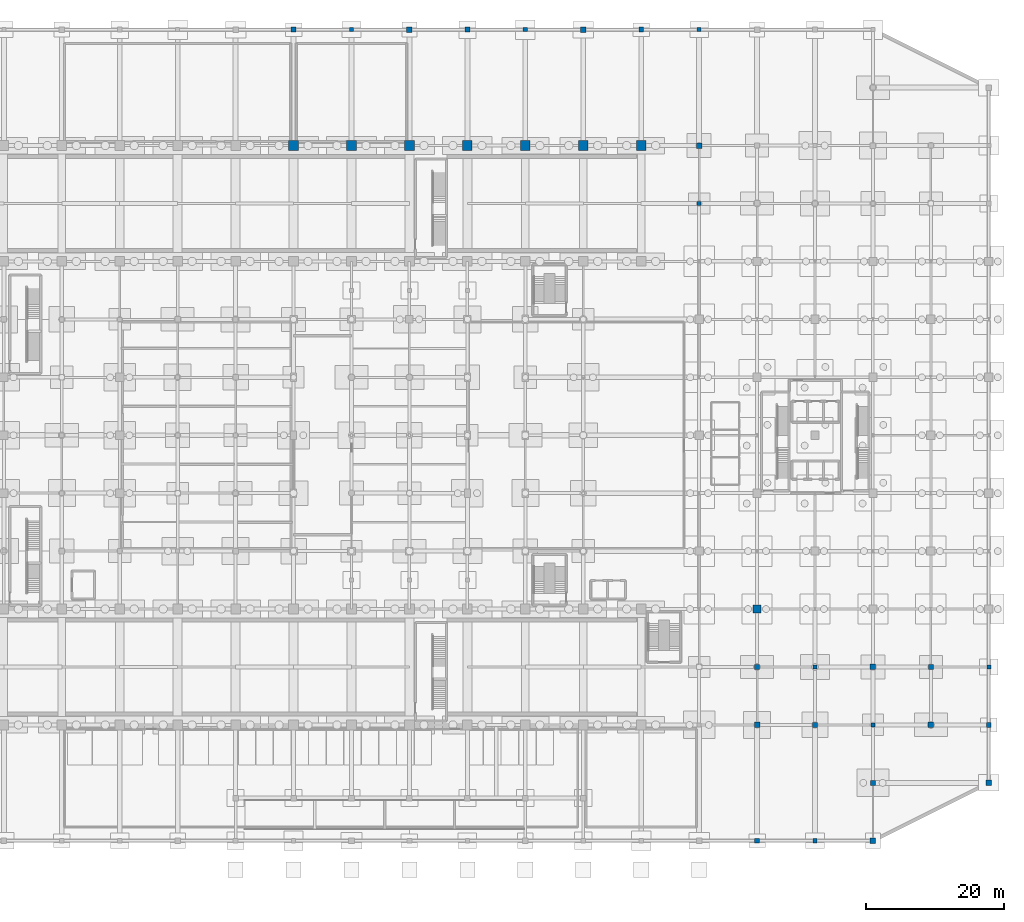
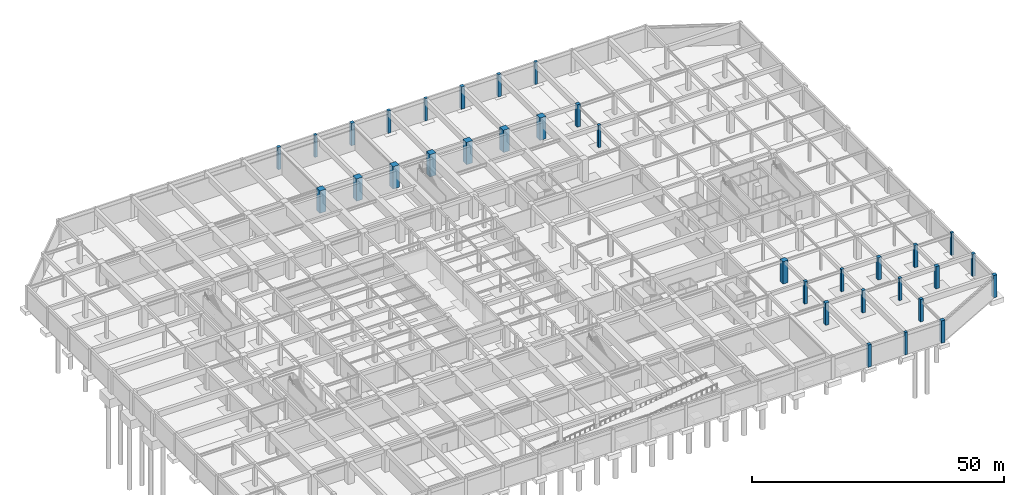
# One storey, part 8 of 26: 33 columns.
"""IFC4 building model written with IfcOpenShell, lengths in metres."""

from ifc_helpers import new_model, si_unit, direction, frame, origin, origin_2d, place, context, subcontext, project, spatial, rectangle, extrude, material, material_profile, profile_set, type_object, element, save


model = new_model("IFC4")

# Units and contexts
model_context = context("Model", 3, precision=1e-05, world=origin(), true_north=direction((0.0, 1.0)))
body_context = subcontext(model_context, "Body", "Model", "MODEL_VIEW")
ifc_project = project(units=[si_unit("LENGTHUNIT", "METRE"), si_unit("AREAUNIT", "SQUARE_METRE"), si_unit("VOLUMEUNIT", "CUBIC_METRE"), si_unit("PLANEANGLEUNIT", "RADIAN"), si_unit("MASSUNIT", "GRAM", prefix="KILO")], contexts=[model_context])

# Site, building, storey
site_placement = place(None, origin())
site = spatial("IfcSite", under=ifc_project, at=site_placement, CompositionType="ELEMENT")
building_placement = place(site_placement, origin())
building = spatial("IfcBuilding", under=site, at=building_placement, Name="Xuanlan Plaza Opera House", CompositionType="ELEMENT")
storey_placement = place(building_placement, frame((0.0, 0.0, -5.39990234375)))
storey = spatial("IfcBuildingStorey", under=building, at=storey_placement, Name="B01", CompositionType="ELEMENT", Elevation=-5.39990234375)

# Columns
ifc_material_1 = material(Name="Concrete C60", Category="concrete")
ifc_material_profile_1 = material_profile(ifc_material_1, rectangle(XDim=1.39990234375, YDim=1.39990234375, at=origin_2d()), Name="RC-COL 1400x1400")
ifc_profile_set_1 = profile_set([ifc_material_profile_1], Name="Concrete C60")
column_type_1 = type_object("IfcColumnType", Name="STR-COL-C-01", PredefinedType="COLUMN", material=ifc_profile_set_1)
for number, where, z_axis, x_axis, name in (
    (1, (67.199951171875, 100.800048828125, 0.0), (0.0, 0.0, 1.0), (1.0, 0.0, 0.0), "Column B01 9-M"),
    (2, (75.60009765625, 100.800048828125, 0.0), (0.0, 0.0, 1.0), (1.0, 0.0, 0.0), "Column B01 10-M"),
    (3, (84.0, 100.800048828125, 0.0), (0.0, 0.0, 1.0), (1.0, 0.0, 0.0), "Column B01 11-M"),
    (4, (92.39990234375, 100.800048828125, 0.0), (0.0, 0.0, 1.0), (1.0, 0.0, 0.0), "Column B01 12-M"),
    (5, (100.800048828125, 100.800048828125, 0.0), (0.0, 0.0, 1.0), (1.0, 0.0, 0.0), "Column B01 13-M"),
    (6, (109.199951171875, 100.800048828125, 0.0), (0.0, 0.0, 1.0), (1.0, 0.0, 0.0), "Column B01 14-M"),
    (7, (117.60009765625, 100.800048828125, 0.0), (0.0, 0.0, 1.0), (1.0, 0.0, 0.0), "Column B01 15-M"),
):
    element("IfcColumn", number, at=place(storey_placement, frame(where, z_axis=z_axis, x_axis=x_axis)), inside=storey, type_object=column_type_1, Name=name, PredefinedType="COLUMN", context=body_context, shape_type="SweptSolid", body=[
        extrude(rectangle(XDim=1.39990234375, YDim=1.39990234375, at=origin_2d()), origin(), (0.0, 0.0, 1.0), 5.39990234375),
    ])
ifc_material_profile_2 = material_profile(ifc_material_1, rectangle(XDim=1.199951171875, YDim=1.199951171875, at=origin_2d()), Name="RC-COL 1200x1200")
ifc_profile_set_2 = profile_set([ifc_material_profile_2], Name="Concrete C60")
column_type_2 = type_object("IfcColumnType", Name="STR-COL-C-02", PredefinedType="COLUMN", material=ifc_profile_set_2)
column_placement = place(storey_placement, frame((134.39990234375, 33.60009765625, 0.0), z_axis=(0.0, 0.0, 1.0), x_axis=(1.0, 0.0, 0.0)))
element("IfcColumn", 8, at=column_placement, inside=storey, type_object=column_type_2, Name="Column B01 17-E", PredefinedType="COLUMN", context=body_context, shape_type="SweptSolid", body=[
    extrude(rectangle(XDim=1.199951171875, YDim=1.199951171875, at=origin_2d()), origin(), (0.0, 0.0, 1.0), 5.39990234375),
])
ifc_material_2 = material(Name="Concrete C40", Category="concrete")
ifc_material_profile_3 = material_profile(ifc_material_2, rectangle(XDim=0.800048828125, YDim=0.800048828125, at=origin_2d()), Name="RC-COL 800x800")
ifc_profile_set_3 = profile_set([ifc_material_profile_3], Name="Concrete C40")
column_type_3 = type_object("IfcColumnType", Name="STR-COL-C-06", PredefinedType="COLUMN", material=ifc_profile_set_3)
for number, where, z_axis, x_axis, name in (
    (9, (84.0, 117.60009765625, 0.0), (0.0, 0.0, 1.0), (1.0, 0.0, 0.0), "Column B01 11-O"),
    (10, (109.199951171875, 117.60009765625, 0.0), (0.0, 0.0, 1.0), (1.0, 0.0, 0.0), "Column B01 14-O"),
    (11, (126.0, 100.800048828125, 0.0), (0.0, 0.0, 1.0), (1.0, 0.0, 0.0), "Column B01 16-M"),
    (12, (134.39990234375, 16.800048828125, 0.0), (0.0, 0.0, 1.0), (1.0, 0.0, 0.0), "Column B01 17-C"),
    (13, (151.199951171875, 0.0, 0.0), (0.0, 0.0, 1.0), (1.0, 0.0, 0.0), "Column B01 19-A"),
    (14, (151.199951171875, 25.199951171875, 0.0), (0.0, 0.0, 1.0), (1.0, 0.0, 0.0), "Column B01 19-D"),
    (15, (159.60009765625, 16.800048828125, 0.0), (0.0, 0.0, 1.0), (1.0, 0.0, 0.0), "Column B01 20-C"),
    (16, (168.0, 8.39990234375, 0.0), (0.0, 0.0, 1.0), (1.0, 0.0, 0.0), "Column B01 21-B"),
):
    element("IfcColumn", number, at=place(storey_placement, frame(where, z_axis=z_axis, x_axis=x_axis)), inside=storey, type_object=column_type_3, Name=name, PredefinedType="COLUMN", context=body_context, shape_type="SweptSolid", body=[
        extrude(rectangle(XDim=0.800048828125, YDim=0.800048828125, at=origin_2d()), origin(), (0.0, 0.0, 1.0), 5.39990234375),
    ])
ifc_material_profile_4 = material_profile(ifc_material_2, rectangle(XDim=0.699951171875, YDim=0.699951171875, at=origin_2d()), Name="RC-COL 700x700")
ifc_profile_set_4 = profile_set([ifc_material_profile_4], Name="Concrete C40")
column_type_4 = type_object("IfcColumnType", Name="STR-COL-C-07", PredefinedType="COLUMN", material=ifc_profile_set_4)
for number, where, z_axis, x_axis, name in (
    (17, (67.199951171875, 117.60009765625, 0.0), (0.0, 0.0, 1.0), (1.0, 0.0, 0.0), "Column B01 9-O"),
    (18, (92.39990234375, 117.60009765625, 0.0), (0.0, 0.0, 1.0), (1.0, 0.0, 0.0), "Column B01 12-O"),
    (19, (117.60009765625, 117.60009765625, 0.0), (0.0, 0.0, 1.0), (1.0, 0.0, 0.0), "Column B01 15-O"),
    (20, (134.39990234375, 0.0, 0.0), (0.0, 0.0, 1.0), (1.0, 0.0, 0.0), "Column B01 17-A"),
    (21, (134.39990234375, 25.199951171875, 0.0), (0.0, 0.0, 1.0), (1.0, 0.0, 0.0), "Column B01 17-D"),
    (22, (142.800048828125, 16.800048828125, 0.0), (0.0, 0.0, 1.0), (1.0, 0.0, 0.0), "Column B01 18-C"),
    (23, (151.199951171875, 8.39990234375, 0.0), (0.0, 0.0, 1.0), (1.0, 0.0, 0.0), "Column B01 19-B"),
    (24, (159.60009765625, 25.199951171875, 0.0), (0.0, 0.0, 1.0), (1.0, 0.0, 0.0), "Column B01 20-D"),
    (25, (168.0, 16.800048828125, 0.0), (0.0, 0.0, 1.0), (1.0, 0.0, 0.0), "Column B01 21-C"),
):
    element("IfcColumn", number, at=place(storey_placement, frame(where, z_axis=z_axis, x_axis=x_axis)), inside=storey, type_object=column_type_4, Name=name, PredefinedType="COLUMN", context=body_context, shape_type="SweptSolid", body=[
        extrude(rectangle(XDim=0.699951171875, YDim=0.699951171875, at=origin_2d()), origin(), (0.0, 0.0, 1.0), 5.39990234375),
    ])
ifc_material_profile_5 = material_profile(ifc_material_2, rectangle(XDim=0.60009765625, YDim=0.60009765625, at=origin_2d()), Name="RC-COL 600x600")
ifc_profile_set_5 = profile_set([ifc_material_profile_5], Name="Concrete C40")
column_type_5 = type_object("IfcColumnType", Name="STR-COL-C-08", PredefinedType="COLUMN", material=ifc_profile_set_5)
for number, where, z_axis, x_axis, name in (
    (26, (75.60009765625, 117.60009765625, 0.0), (0.0, 0.0, 1.0), (1.0, 0.0, 0.0), "Column B01 10-O"),
    (27, (100.800048828125, 117.60009765625, 0.0), (0.0, 0.0, 1.0), (1.0, 0.0, 0.0), "Column B01 13-O"),
    (28, (126.0, 92.39990234375, 0.0), (0.0, 0.0, 1.0), (1.0, 0.0, 0.0), "Column B01 16-L"),
    (29, (126.0, 117.60009765625, 0.0), (0.0, 0.0, 1.0), (1.0, 0.0, 0.0), "Column B01 16-O"),
    (30, (142.800048828125, 0.0, 0.0), (0.0, 0.0, 1.0), (1.0, 0.0, 0.0), "Column B01 18-A"),
    (31, (142.800048828125, 25.199951171875, 0.0), (0.0, 0.0, 1.0), (1.0, 0.0, 0.0), "Column B01 18-D"),
    (32, (151.199951171875, 16.800048828125, 0.0), (0.0, 0.0, 1.0), (1.0, 0.0, 0.0), "Column B01 19-C"),
    (33, (168.0, 25.199951171875, 0.0), (0.0, 0.0, 1.0), (1.0, 0.0, 0.0), "Column B01 21-D"),
):
    element("IfcColumn", number, at=place(storey_placement, frame(where, z_axis=z_axis, x_axis=x_axis)), inside=storey, type_object=column_type_5, Name=name, PredefinedType="COLUMN", context=body_context, shape_type="SweptSolid", body=[
        extrude(rectangle(XDim=0.60009765625, YDim=0.60009765625, at=origin_2d()), origin(), (0.0, 0.0, 1.0), 5.39990234375),
    ])

save(model, "model.ifc")
